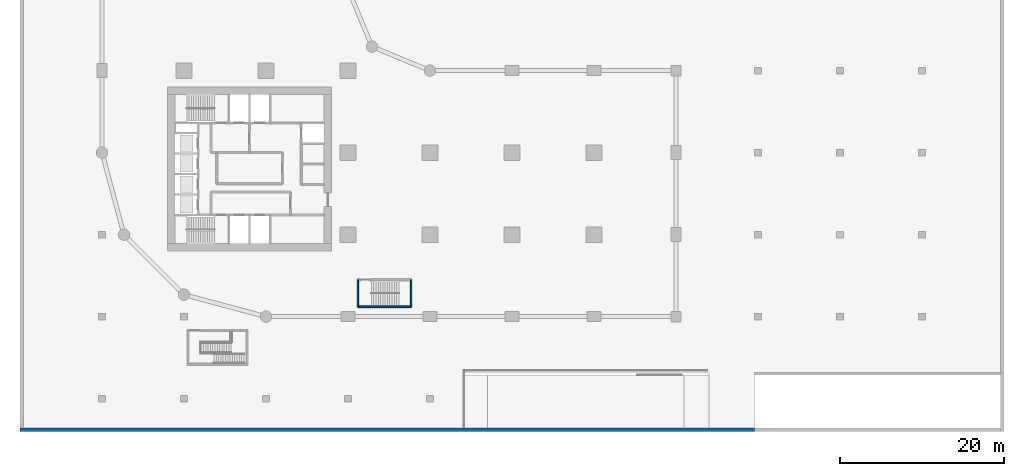
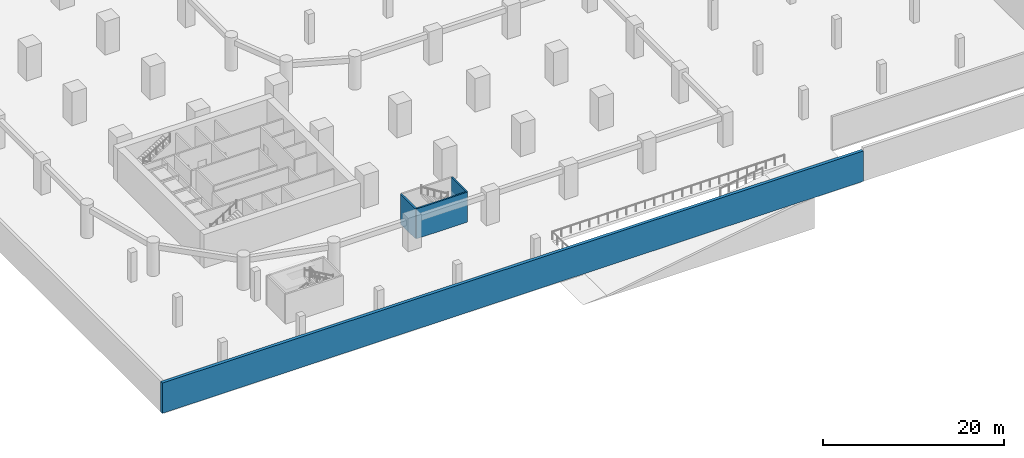
# One storey, part 4 of 19: 4 walls.
"""IFC4 building model written with IfcOpenShell, lengths in metres."""

from ifc_helpers import new_model, si_unit, direction, frame, frame_2d, origin, place, context, subcontext, project, spatial, rectangle, extrude, material, layer, layer_set, type_object, element, save


model = new_model("IFC4")

# Units and contexts
model_context = context("Model", 3, precision=1e-05, world=origin(), true_north=direction((0.0, 1.0)))
body_context = subcontext(model_context, "Body", "Model", "MODEL_VIEW")
ifc_project = project(units=[si_unit("LENGTHUNIT", "METRE"), si_unit("AREAUNIT", "SQUARE_METRE"), si_unit("VOLUMEUNIT", "CUBIC_METRE"), si_unit("PLANEANGLEUNIT", "RADIAN"), si_unit("MASSUNIT", "GRAM", prefix="KILO")], contexts=[model_context])

# Site, building, storey
site_placement = place(None, origin())
site = spatial("IfcSite", under=ifc_project, at=site_placement, CompositionType="ELEMENT")
building_placement = place(site_placement, origin())
building = spatial("IfcBuilding", under=site, at=building_placement, Name="Qaws Garden Tower", CompositionType="ELEMENT")
storey_placement = place(building_placement, frame((0.0, 0.0, -4.5)))
storey = spatial("IfcBuildingStorey", under=building, at=storey_placement, Name="B1", CompositionType="ELEMENT", Elevation=-4.5)

# Walls
ifc_material_1 = material(Name="Concrete C80", Category="concrete")
ifc_layer_1 = layer(ifc_material_1, 0.199951171875)
ifc_layer_set_1 = layer_set([ifc_layer_1], Name="Concrete C80")
wall_type_1 = type_object("IfcWallType", Name="Core shaft wall 200 C80", PredefinedType="SHEAR", material=ifc_layer_set_1)
wall_1_placement = place(storey_placement, frame((31.199951171875, 1.199951171875, 0.0), z_axis=(0.0, 0.0, 1.0), x_axis=(1.0, 0.0, 0.0)))
element("IfcWall", 1, at=wall_1_placement, inside=storey, type_object=wall_type_1, Name="Shaft wall", PredefinedType="SHEAR", context=body_context, shape_type="SweptSolid", body=[
    extrude(rectangle(XDim=6.5, YDim=0.199951171875, at=frame_2d((3.25, 0.0))), origin(), (0.0, 0.0, 1.0), 4.050048828125),
])
for number, where, z_axis, x_axis, name in (
    (2, (31.199951171875, 1.199951171875, 0.0), (0.0, 0.0, 1.0), (0.0, 1.0, 0.0), "Shaft wall"),
    (3, (37.699951171875, 1.199951171875, 0.0), (0.0, 0.0, 1.0), (0.0, 1.0, 0.0), "Shaft wall"),
):
    element("IfcWall", number, at=place(storey_placement, frame(where, z_axis=z_axis, x_axis=x_axis)), inside=storey, type_object=wall_type_1, Name=name, PredefinedType="SHEAR", context=body_context, shape_type="SweptSolid", body=[
        extrude(rectangle(XDim=3.300048828125, YDim=0.199951171875, at=frame_2d((1.64990234375, 0.0))), origin(), (0.0, 0.0, 1.0), 4.050048828125),
    ])
ifc_material_2 = material(Name="Concrete C45", Category="concrete")
ifc_layer_2 = layer(ifc_material_2, 0.39990234375)
ifc_layer_set_2 = layer_set([ifc_layer_2], Name="Concrete C45")
wall_type_2 = type_object("IfcWallType", Name="Retaining wall 400", PredefinedType="SOLIDWALL", material=ifc_layer_set_2)
wall_2_placement = place(storey_placement, frame((-10.0, -13.800048828125, 0.0), z_axis=(0.0, 0.0, 1.0), x_axis=(1.0, 0.0, 0.0)))
element("IfcWall", 4, at=wall_2_placement, inside=storey, type_object=wall_type_2, Name="Retaining wall S B1", PredefinedType="SOLIDWALL", context=body_context, shape_type="SweptSolid", body=[
    extrude(rectangle(XDim=89.60009765625, YDim=0.39990234375, at=frame_2d((44.800048828125, 0.0))), origin(), (0.0, 0.0, 1.0), 4.10009765625),
])

save(model, "model.ifc")
